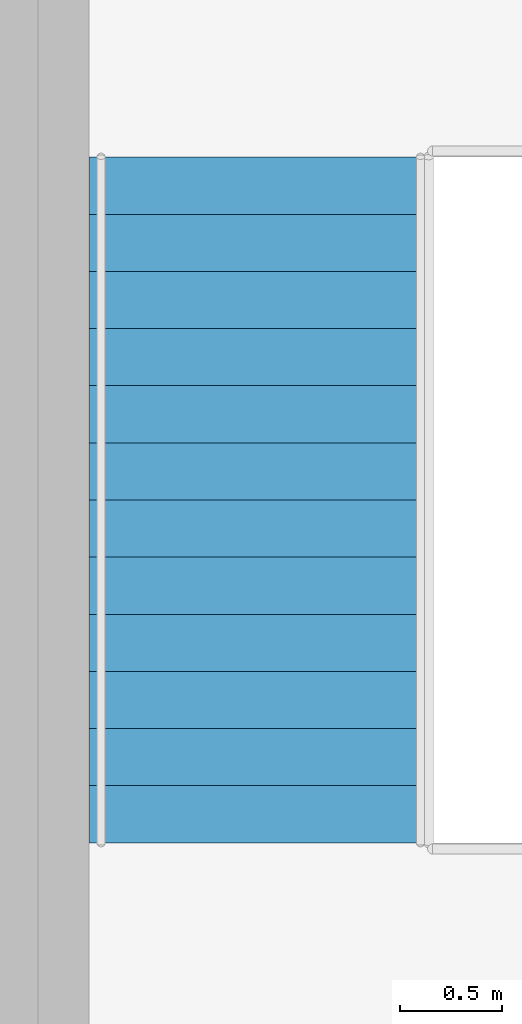
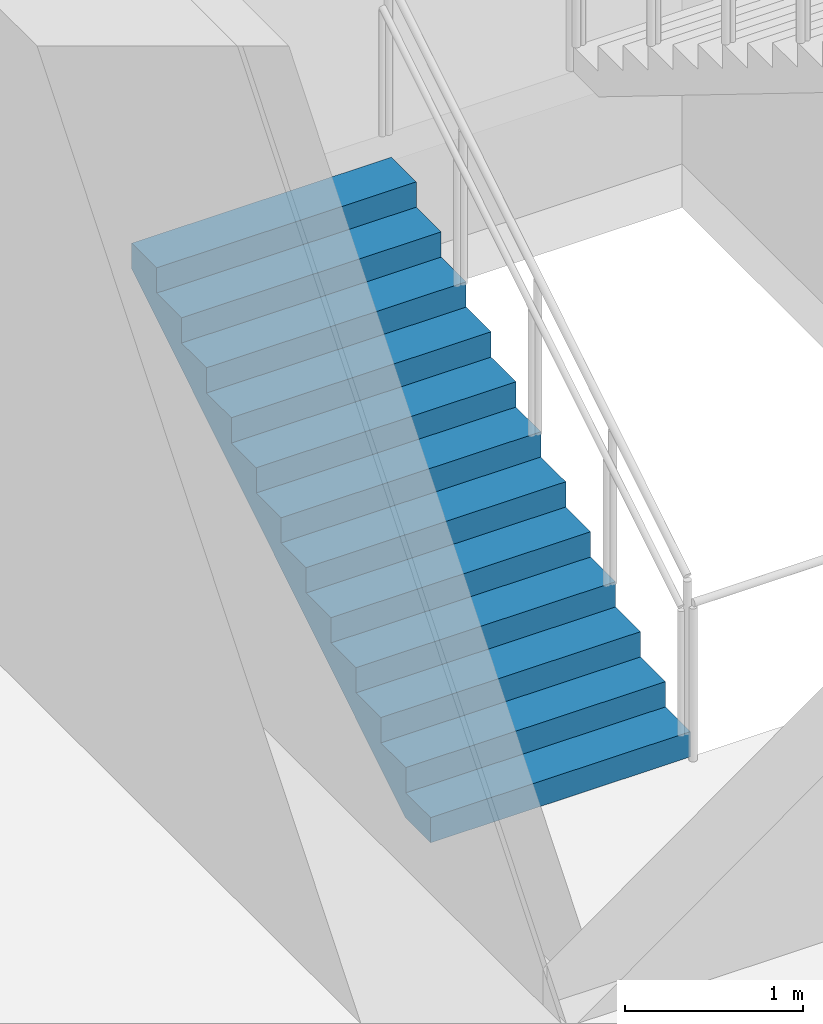
# One storey, part 14 of 16: 1 stair flight, 1 element without a shape of its own.
"""IFC4 building model written with IfcOpenShell, lengths in metres."""

from ifc_helpers import new_model, si_unit, direction, frame, origin, place, context, subcontext, project, spatial, triangles, material, type_object, element, aggregate, save


model = new_model("IFC4")

# Units and contexts
model_context = context("Model", 3, precision=1e-05, world=origin(), true_north=direction((0.0, 1.0)))
body_context = subcontext(model_context, "Body", "Model", "MODEL_VIEW")
ifc_project = project(units=[si_unit("LENGTHUNIT", "METRE"), si_unit("AREAUNIT", "SQUARE_METRE"), si_unit("VOLUMEUNIT", "CUBIC_METRE"), si_unit("PLANEANGLEUNIT", "RADIAN"), si_unit("MASSUNIT", "GRAM", prefix="KILO")], contexts=[model_context])

# Site, building, storey
site_placement = place(None, origin())
site = spatial("IfcSite", under=ifc_project, at=site_placement, CompositionType="ELEMENT")
building_placement = place(site_placement, origin())
building = spatial("IfcBuilding", under=site, at=building_placement, Name="Orbita Commons", CompositionType="ELEMENT")
storey_placement = place(building_placement, frame((0.0, 0.0, -4.5)))
storey = spatial("IfcBuildingStorey", under=building, at=storey_placement, Name="L-01", CompositionType="ELEMENT", Elevation=-4.5)

# Stair, stair flight
ifc_material_1 = material(Name="Precast concrete C40/50", Category="concrete")
stair_type = type_object("IfcStairType", Name="Podium exit stair 2 flights 13 risers 173", PredefinedType="HALF_TURN_STAIR", material=ifc_material_1)
stair_placement = place(storey_placement, origin())
stair = element("IfcStair", 1, at=stair_placement, inside=storey, type_object=stair_type, Name="Podium exit stair PS2 L-01", PredefinedType="HALF_TURN_STAIR")
ifc_material_2 = material(Name="Precast concrete C40/50", Category="concrete")
stair_flight_type = type_object("IfcStairFlightType", Name="Podium stair flight 13 risers 173 x 1685", PredefinedType="STRAIGHT", material=ifc_material_2)
stair_flight_placement = place(storey_placement, frame((73.5673828125, 29.820068359375, 0.0), z_axis=(0.0, 0.0, 1.0), x_axis=(0.0, 1.0, 0.0)))
stair_flight = element("IfcStairFlight", 2, at=stair_flight_placement, type_object=stair_flight_type, Name="PS2 flight 1", NumberOfRisers=13, NumberOfTreads=12, PredefinedType="STRAIGHT", RiserHeight=0.173076923, TreadLength=0.28, context=body_context, shape_type="Tessellation", body=[
    triangles([(0.0, 0.842529, 0.0), (0.0, 0.842529, 0.021635), (0.0, 0.702108, 0.021635), (0.0, 0.702108, 0.0), (0.0, 0.561686, 0.021635), (0.0, 0.561686, 0.0), (0.0, 0.421265, 0.021635), (0.0, 0.421265, 0.0), (0.0, 0.280843, 0.021635), (0.0, 0.280843, 0.0), (0.0, 0.140422, 0.021635), (0.0, 0.140422, 0.0), (0.0, 0.0, 0.021635), (0.0, 0.0, 0.0), (0.0, -0.140422, 0.021635), (0.0, -0.140422, 0.0), (0.0, -0.280843, 0.021635), (0.0, -0.280843, 0.0), (0.0, -0.421265, 0.021635), (0.0, -0.421265, 0.0), (0.0, -0.561686, 0.021635), (0.0, -0.561686, 0.0), (0.0, -0.702108, 0.021635), (0.0, -0.702108, 0.0), (0.0, -0.842529, 0.021635), (0.0, -0.842529, 0.0), (0.0, 0.842529, 0.043269), (0.0, 0.702108, 0.043269), (0.0, 0.561686, 0.043269), (0.0, 0.421265, 0.043269), (0.0, 0.280843, 0.043269), (0.0, 0.140422, 0.043269), (0.0, 0.0, 0.043269), (0.0, -0.140422, 0.043269), (0.0, -0.280843, 0.043269), (0.0, -0.421265, 0.043269), (0.0, -0.561686, 0.043269), (0.0, -0.702108, 0.043269), (0.0, -0.842529, 0.043269), (0.0, 0.842529, 0.064904), (0.0, 0.702108, 0.064904), (0.0, 0.561686, 0.064904), (0.0, 0.421265, 0.064904), (0.0, 0.280843, 0.064904), (0.0, 0.140422, 0.064904), (0.0, 0.0, 0.064904), (0.0, -0.140422, 0.064904), (0.0, -0.280843, 0.064904), (0.0, -0.421265, 0.064904), (0.0, -0.561686, 0.064904), (0.0, -0.702108, 0.064904), (0.0, -0.842529, 0.064904), (0.0, 0.842529, 0.086538), (0.0, 0.702108, 0.086538), (0.0, 0.561686, 0.086538), (0.0, 0.421265, 0.086538), (0.0, 0.280843, 0.086538), (0.0, 0.140422, 0.086538), (0.0, 0.0, 0.086538), (0.0, -0.140422, 0.086538), (0.0, -0.280843, 0.086538), (0.0, -0.421265, 0.086538), (0.0, -0.561686, 0.086538), (0.0, -0.702108, 0.086538), (0.0, -0.842529, 0.086538), (0.0, 0.842529, 0.108173), (0.0, 0.702108, 0.108173), (0.0, 0.561686, 0.108173), (0.0, 0.421265, 0.108173), (0.0, 0.280843, 0.108173), (0.0, 0.140422, 0.108173), (0.0, 0.0, 0.108173), (0.0, -0.140422, 0.108173), (0.0, -0.280843, 0.108173), (0.0, -0.421265, 0.108173), (0.0, -0.561686, 0.108173), (0.0, -0.702108, 0.108173), (0.0, -0.842529, 0.108173), (0.0, 0.842529, 0.129808), (0.0, 0.702108, 0.129808), (0.0, 0.561686, 0.129808), (0.0, 0.421265, 0.129808), (0.0, 0.280843, 0.129808), (0.0, 0.140422, 0.129808), (0.0, 0.0, 0.129808), (0.0, -0.140422, 0.129808), (0.0, -0.280843, 0.129808), (0.0, -0.421265, 0.129808), (0.0, -0.561686, 0.129808), (0.0, -0.702108, 0.129808), (0.0, -0.842529, 0.129808), (0.0, 0.842529, 0.151442), (0.0, 0.702108, 0.151442), (0.0, 0.561686, 0.151442), (0.0, 0.421265, 0.151442), (0.0, 0.280843, 0.151442), (0.0, 0.140422, 0.151442), (0.0, 0.0, 0.151442), (0.0, -0.140422, 0.151442), (0.0, -0.280843, 0.151442), (0.0, -0.421265, 0.151442), (0.0, -0.561686, 0.151442), (0.0, -0.702108, 0.151442), (0.0, -0.842529, 0.151442), (0.0, 0.842529, 0.173077), (0.0, 0.702108, 0.173077), (0.0, 0.561686, 0.173077), (0.0, 0.421265, 0.173077), (0.0, 0.280843, 0.173077), (0.0, 0.140422, 0.173077), (0.0, 0.0, 0.173077), (0.0, -0.140422, 0.173077), (0.0, -0.280843, 0.173077), (0.0, -0.421265, 0.173077), (0.0, -0.561686, 0.173077), (0.0, -0.702108, 0.173077), (0.0, -0.842529, 0.173077), (0.28, 0.842529, 0.173077), (0.28, 0.702108, 0.173077), (0.28, 0.561686, 0.173077), (0.28, 0.421265, 0.173077), (0.28, 0.280843, 0.173077), (0.28, 0.140422, 0.173077), (0.28, 0.0, 0.173077), (0.28, -0.140422, 0.173077), (0.28, -0.280843, 0.173077), (0.28, -0.421265, 0.173077), (0.28, -0.561686, 0.173077), (0.28, -0.702108, 0.173077), (0.28, -0.842529, 0.173077), (0.28, 0.842529, 0.346154), (0.28, 0.702108, 0.346154), (0.28, 0.561686, 0.346154), (0.28, 0.421265, 0.346154), (0.28, 0.280843, 0.346154), (0.28, 0.140422, 0.346154), (0.28, 0.0, 0.346154), (0.28, -0.140422, 0.346154), (0.28, -0.280843, 0.346154), (0.28, -0.421265, 0.346154), (0.28, -0.561686, 0.346154), (0.28, -0.702108, 0.346154), (0.28, -0.842529, 0.346154), (0.56, 0.842529, 0.346154), (0.56, 0.702108, 0.346154), (0.56, 0.561686, 0.346154), (0.56, 0.421265, 0.346154), (0.56, 0.280843, 0.346154), (0.56, 0.140422, 0.346154), (0.56, 0.0, 0.346154), (0.56, -0.140422, 0.346154), (0.56, -0.280843, 0.346154), (0.56, -0.421265, 0.346154), (0.56, -0.561686, 0.346154), (0.56, -0.702108, 0.346154), (0.56, -0.842529, 0.346154), (0.56, 0.842529, 0.519231), (0.56, 0.702108, 0.519231), (0.56, 0.561686, 0.519231), (0.56, 0.421265, 0.519231), (0.56, 0.280843, 0.519231), (0.56, 0.140422, 0.519231), (0.56, 0.0, 0.519231), (0.56, -0.140422, 0.519231), (0.56, -0.280843, 0.519231), (0.56, -0.421265, 0.519231), (0.56, -0.561686, 0.519231), (0.56, -0.702108, 0.519231), (0.56, -0.842529, 0.519231), (0.84, 0.842529, 0.519231), (0.84, 0.702108, 0.519231), (0.84, 0.561686, 0.519231), (0.84, 0.421265, 0.519231), (0.84, 0.280843, 0.519231), (0.84, 0.140422, 0.519231), (0.84, 0.0, 0.519231), (0.84, -0.140422, 0.519231), (0.84, -0.280843, 0.519231), (0.84, -0.421265, 0.519231), (0.84, -0.561686, 0.519231), (0.84, -0.702108, 0.519231), (0.84, -0.842529, 0.519231), (0.84, 0.842529, 0.692308), (0.84, 0.702108, 0.692308), (0.84, 0.561686, 0.692308), (0.84, 0.421265, 0.692308), (0.84, 0.280843, 0.692308), (0.84, 0.140422, 0.692308), (0.84, 0.0, 0.692308), (0.84, -0.140422, 0.692308), (0.84, -0.280843, 0.692308), (0.84, -0.421265, 0.692308), (0.84, -0.561686, 0.692308), (0.84, -0.702108, 0.692308), (0.84, -0.842529, 0.692308), (1.12, 0.842529, 0.692308), (1.12, 0.702108, 0.692308), (1.12, 0.561686, 0.692308), (1.12, 0.421265, 0.692308), (1.12, 0.280843, 0.692308), (1.12, 0.140422, 0.692308), (1.12, 0.0, 0.692308), (1.12, -0.140422, 0.692308), (1.12, -0.280843, 0.692308), (1.12, -0.421265, 0.692308), (1.12, -0.561686, 0.692308), (1.12, -0.702108, 0.692308), (1.12, -0.842529, 0.692308), (1.12, 0.842529, 0.865385), (1.12, 0.702108, 0.865385), (1.12, 0.561686, 0.865385), (1.12, 0.421265, 0.865385), (1.12, 0.280843, 0.865385), (1.12, 0.140422, 0.865385), (1.12, 0.0, 0.865385), (1.12, -0.140422, 0.865385), (1.12, -0.280843, 0.865385), (1.12, -0.421265, 0.865385), (1.12, -0.561686, 0.865385), (1.12, -0.702108, 0.865385), (1.12, -0.842529, 0.865385), (1.4, 0.842529, 0.865385), (1.4, 0.702108, 0.865385), (1.4, 0.561686, 0.865385), (1.4, 0.421265, 0.865385), (1.4, 0.280843, 0.865385), (1.4, 0.140422, 0.865385), (1.4, 0.0, 0.865385), (1.4, -0.140422, 0.865385), (1.4, -0.280843, 0.865385), (1.4, -0.421265, 0.865385), (1.4, -0.561686, 0.865385), (1.4, -0.702108, 0.865385), (1.4, -0.842529, 0.865385), (1.4, 0.842529, 1.038462), (1.4, 0.702108, 1.038462), (1.4, 0.561686, 1.038462), (1.4, 0.421265, 1.038462), (1.4, 0.280843, 1.038462), (1.4, 0.140422, 1.038462), (1.4, 0.0, 1.038462), (1.4, -0.140422, 1.038462), (1.4, -0.280843, 1.038462), (1.4, -0.421265, 1.038462), (1.4, -0.561686, 1.038462), (1.4, -0.702108, 1.038462), (1.4, -0.842529, 1.038462), (1.68, 0.842529, 1.038462), (1.68, 0.702108, 1.038462), (1.68, 0.561686, 1.038462), (1.68, 0.421265, 1.038462), (1.68, 0.280843, 1.038462), (1.68, 0.140422, 1.038462), (1.68, 0.0, 1.038462), (1.68, -0.140422, 1.038462), (1.68, -0.280843, 1.038462), (1.68, -0.421265, 1.038462), (1.68, -0.561686, 1.038462), (1.68, -0.702108, 1.038462), (1.68, -0.842529, 1.038462), (1.68, 0.842529, 1.211538), (1.68, 0.702108, 1.211538), (1.68, 0.561686, 1.211538), (1.68, 0.421265, 1.211538), (1.68, 0.280843, 1.211538), (1.68, 0.140422, 1.211538), (1.68, 0.0, 1.211538), (1.68, -0.140422, 1.211538), (1.68, -0.280843, 1.211538), (1.68, -0.421265, 1.211538), (1.68, -0.561686, 1.211538), (1.68, -0.702108, 1.211538), (1.68, -0.842529, 1.211538), (1.96, 0.842529, 1.211538), (1.96, 0.702108, 1.211538), (1.96, 0.561686, 1.211538), (1.96, 0.421265, 1.211538), (1.96, 0.280843, 1.211538), (1.96, 0.140422, 1.211538), (1.96, 0.0, 1.211538), (1.96, -0.140422, 1.211538), (1.96, -0.280843, 1.211538), (1.96, -0.421265, 1.211538), (1.96, -0.561686, 1.211538), (1.96, -0.702108, 1.211538), (1.96, -0.842529, 1.211538), (1.96, 0.842529, 1.384615), (1.96, 0.702108, 1.384615), (1.96, 0.561686, 1.384615), (1.96, 0.421265, 1.384615), (1.96, 0.280843, 1.384615), (1.96, 0.140422, 1.384615), (1.96, 0.0, 1.384615), (1.96, -0.140422, 1.384615), (1.96, -0.280843, 1.384615), (1.96, -0.421265, 1.384615), (1.96, -0.561686, 1.384615), (1.96, -0.702108, 1.384615), (1.96, -0.842529, 1.384615), (2.24, 0.842529, 1.384615), (2.24, 0.702108, 1.384615), (2.24, 0.561686, 1.384615), (2.24, 0.421265, 1.384615), (2.24, 0.280843, 1.384615), (2.24, 0.140422, 1.384615), (2.24, 0.0, 1.384615), (2.24, -0.140422, 1.384615), (2.24, -0.280843, 1.384615), (2.24, -0.421265, 1.384615), (2.24, -0.561686, 1.384615), (2.24, -0.702108, 1.384615), (2.24, -0.842529, 1.384615), (2.24, 0.842529, 1.557692), (2.24, 0.702108, 1.557692), (2.24, 0.561686, 1.557692), (2.24, 0.421265, 1.557692), (2.24, 0.280843, 1.557692), (2.24, 0.140422, 1.557692), (2.24, 0.0, 1.557692), (2.24, -0.140422, 1.557692), (2.24, -0.280843, 1.557692), (2.24, -0.421265, 1.557692), (2.24, -0.561686, 1.557692), (2.24, -0.702108, 1.557692), (2.24, -0.842529, 1.557692), (2.52, 0.842529, 1.557692), (2.52, 0.702108, 1.557692), (2.52, 0.561686, 1.557692), (2.52, 0.421265, 1.557692), (2.52, 0.280843, 1.557692), (2.52, 0.140422, 1.557692), (2.52, 0.0, 1.557692), (2.52, -0.140422, 1.557692), (2.52, -0.280843, 1.557692), (2.52, -0.421265, 1.557692), (2.52, -0.561686, 1.557692), (2.52, -0.702108, 1.557692), (2.52, -0.842529, 1.557692), (2.52, 0.842529, 1.730769), (2.52, 0.702108, 1.730769), (2.52, 0.561686, 1.730769), (2.52, 0.421265, 1.730769), (2.52, 0.280843, 1.730769), (2.52, 0.140422, 1.730769), (2.52, 0.0, 1.730769), (2.52, -0.140422, 1.730769), (2.52, -0.280843, 1.730769), (2.52, -0.421265, 1.730769), (2.52, -0.561686, 1.730769), (2.52, -0.702108, 1.730769), (2.52, -0.842529, 1.730769), (2.8, 0.842529, 1.730769), (2.8, 0.702108, 1.730769), (2.8, 0.561686, 1.730769), (2.8, 0.421265, 1.730769), (2.8, 0.280843, 1.730769), (2.8, 0.140422, 1.730769), (2.8, 0.0, 1.730769), (2.8, -0.140422, 1.730769), (2.8, -0.280843, 1.730769), (2.8, -0.421265, 1.730769), (2.8, -0.561686, 1.730769), (2.8, -0.702108, 1.730769), (2.8, -0.842529, 1.730769), (2.8, 0.842529, 1.903846), (2.8, 0.702108, 1.903846), (2.8, 0.561686, 1.903846), (2.8, 0.421265, 1.903846), (2.8, 0.280843, 1.903846), (2.8, 0.140422, 1.903846), (2.8, 0.0, 1.903846), (2.8, -0.140422, 1.903846), (2.8, -0.280843, 1.903846), (2.8, -0.421265, 1.903846), (2.8, -0.561686, 1.903846), (2.8, -0.702108, 1.903846), (2.8, -0.842529, 1.903846), (3.08, 0.842529, 1.903846), (3.08, 0.702108, 1.903846), (3.08, 0.561686, 1.903846), (3.08, 0.421265, 1.903846), (3.08, 0.280843, 1.903846), (3.08, 0.140422, 1.903846), (3.08, 0.0, 1.903846), (3.08, -0.140422, 1.903846), (3.08, -0.280843, 1.903846), (3.08, -0.421265, 1.903846), (3.08, -0.561686, 1.903846), (3.08, -0.702108, 1.903846), (3.08, -0.842529, 1.903846), (3.08, 0.842529, 2.076923), (3.08, 0.702108, 2.076923), (3.08, 0.561686, 2.076923), (3.08, 0.421265, 2.076923), (3.08, 0.280843, 2.076923), (3.08, 0.140422, 2.076923), (3.08, 0.0, 2.076923), (3.08, -0.140422, 2.076923), (3.08, -0.280843, 2.076923), (3.08, -0.421265, 2.076923), (3.08, -0.561686, 2.076923), (3.08, -0.702108, 2.076923), (3.08, -0.842529, 2.076923), (3.36, 0.842529, 2.076923), (3.36, 0.702108, 2.076923), (3.36, 0.561686, 2.076923), (3.36, 0.421265, 2.076923), (3.36, 0.280843, 2.076923), (3.36, 0.140422, 2.076923), (3.36, 0.0, 2.076923), (3.36, -0.140422, 2.076923), (3.36, -0.280843, 2.076923), (3.36, -0.421265, 2.076923), (3.36, -0.561686, 2.076923), (3.36, -0.702108, 2.076923), (3.36, -0.842529, 2.076923), (3.36, 0.842529, 2.054895), (3.36, 0.702108, 2.054895), (3.36, 0.561686, 2.054895), (3.36, 0.421265, 2.054895), (3.36, 0.280843, 2.054895), (3.36, 0.140422, 2.054895), (3.36, 0.0, 2.054895), (3.36, -0.140422, 2.054895), (3.36, -0.280843, 2.054895), (3.36, -0.421265, 2.054895), (3.36, -0.561686, 2.054895), (3.36, -0.702108, 2.054895), (3.36, -0.842529, 2.054895), (3.36, 0.842529, 2.032866), (3.36, 0.702108, 2.032866), (3.36, 0.561686, 2.032866), (3.36, 0.421265, 2.032866), (3.36, 0.280843, 2.032866), (3.36, 0.140422, 2.032866), (3.36, 0.0, 2.032866), (3.36, -0.140422, 2.032866), (3.36, -0.280843, 2.032866), (3.36, -0.421265, 2.032866), (3.36, -0.561686, 2.032866), (3.36, -0.702108, 2.032866), (3.36, -0.842529, 2.032866), (3.36, 0.842529, 2.010837), (3.36, 0.702108, 2.010837), (3.36, 0.561686, 2.010837), (3.36, 0.421265, 2.010837), (3.36, 0.280843, 2.010837), (3.36, 0.140422, 2.010837), (3.36, 0.0, 2.010837), (3.36, -0.140422, 2.010837), (3.36, -0.280843, 2.010837), (3.36, -0.421265, 2.010837), (3.36, -0.561686, 2.010837), (3.36, -0.702108, 2.010837), (3.36, -0.842529, 2.010837), (3.36, 0.842529, 1.988809), (3.36, 0.702108, 1.988809), (3.36, 0.561686, 1.988809), (3.36, 0.421265, 1.988809), (3.36, 0.280843, 1.988809), (3.36, 0.140422, 1.988809), (3.36, 0.0, 1.988809), (3.36, -0.140422, 1.988809), (3.36, -0.280843, 1.988809), (3.36, -0.421265, 1.988809), (3.36, -0.561686, 1.988809), (3.36, -0.702108, 1.988809), (3.36, -0.842529, 1.988809), (3.36, 0.842529, 1.96678), (3.36, 0.702108, 1.96678), (3.36, 0.561686, 1.96678), (3.36, 0.421265, 1.96678), (3.36, 0.280843, 1.96678), (3.36, 0.140422, 1.96678), (3.36, 0.0, 1.96678), (3.36, -0.140422, 1.96678), (3.36, -0.280843, 1.96678), (3.36, -0.421265, 1.96678), (3.36, -0.561686, 1.96678), (3.36, -0.702108, 1.96678), (3.36, -0.842529, 1.96678), (3.36, 0.842529, 1.944752), (3.36, 0.702108, 1.944752), (3.36, 0.561686, 1.944752), (3.36, 0.421265, 1.944752), (3.36, 0.280843, 1.944752), (3.36, 0.140422, 1.944752), (3.36, 0.0, 1.944752), (3.36, -0.140422, 1.944752), (3.36, -0.280843, 1.944752), (3.36, -0.421265, 1.944752), (3.36, -0.561686, 1.944752), (3.36, -0.702108, 1.944752), (3.36, -0.842529, 1.944752), (3.36, 0.842529, 1.922723), (3.36, 0.702108, 1.922723), (3.36, 0.561686, 1.922723), (3.36, 0.421265, 1.922723), (3.36, 0.280843, 1.922723), (3.36, 0.140422, 1.922723), (3.36, 0.0, 1.922723), (3.36, -0.140422, 1.922723), (3.36, -0.280843, 1.922723), (3.36, -0.421265, 1.922723), (3.36, -0.561686, 1.922723), (3.36, -0.702108, 1.922723), (3.36, -0.842529, 1.922723), (3.36, 0.842529, 1.900695), (3.36, 0.702108, 1.900695), (3.36, 0.561686, 1.900695), (3.36, 0.421265, 1.900695), (3.36, 0.280843, 1.900695), (3.36, 0.140422, 1.900695), (3.36, 0.0, 1.900695), (3.36, -0.140422, 1.900695), (3.36, -0.280843, 1.900695), (3.36, -0.421265, 1.900695), (3.36, -0.561686, 1.900695), (3.36, -0.702108, 1.900695), (3.36, -0.842529, 1.900695), (0.285099, 0.842529, 0.0), (0.285099, 0.702108, 0.0), (0.285099, 0.561686, 0.0), (0.285099, 0.421265, 0.0), (0.285099, 0.280843, 0.0), (0.285099, 0.140422, 0.0), (0.285099, 0.0, 0.0), (0.285099, -0.140422, 0.0), (0.285099, -0.280843, 0.0), (0.285099, -0.421265, 0.0), (0.285099, -0.561686, 0.0), (0.285099, -0.702108, 0.0), (0.285099, -0.842529, 0.0)], [[3, 2, 1], [4, 3, 1], [5, 3, 4], [6, 5, 4], [7, 5, 6], [8, 7, 6], [9, 7, 8], [10, 9, 8], [11, 9, 10], [12, 11, 10], [13, 11, 12], [14, 13, 12], [15, 13, 14], [16, 15, 14], [17, 15, 16], [18, 17, 16], [19, 17, 18], [20, 19, 18], [21, 19, 20], [22, 21, 20], [23, 21, 22], [24, 23, 22], [25, 23, 24], [26, 25, 24], [28, 27, 2], [3, 28, 2], [29, 28, 3], [5, 29, 3], [30, 29, 5], [7, 30, 5], [31, 30, 7], [9, 31, 7], [32, 31, 9], [11, 32, 9], [33, 32, 11], [13, 33, 11], [34, 33, 13], [15, 34, 13], [35, 34, 15], [17, 35, 15], [36, 35, 17], [19, 36, 17], [37, 36, 19], [21, 37, 19], [38, 37, 21], [23, 38, 21], [39, 38, 23], [25, 39, 23], [41, 40, 27], [28, 41, 27], [42, 41, 28], [29, 42, 28], [43, 42, 29], [30, 43, 29], [44, 43, 30], [31, 44, 30], [45, 44, 31], [32, 45, 31], [46, 45, 32], [33, 46, 32], [47, 46, 33], [34, 47, 33], [48, 47, 34], [35, 48, 34], [49, 48, 35], [36, 49, 35], [50, 49, 36], [37, 50, 36], [51, 50, 37], [38, 51, 37], [52, 51, 38], [39, 52, 38], [54, 53, 40], [41, 54, 40], [55, 54, 41], [42, 55, 41], [56, 55, 42], [43, 56, 42], [57, 56, 43], [44, 57, 43], [58, 57, 44], [45, 58, 44], [59, 58, 45], [46, 59, 45], [60, 59, 46], [47, 60, 46], [61, 60, 47], [48, 61, 47], [62, 61, 48], [49, 62, 48], [63, 62, 49], [50, 63, 49], [64, 63, 50], [51, 64, 50], [65, 64, 51], [52, 65, 51], [67, 66, 53], [54, 67, 53], [68, 67, 54], [55, 68, 54], [69, 68, 55], [56, 69, 55], [70, 69, 56], [57, 70, 56], [71, 70, 57], [58, 71, 57], [72, 71, 58], [59, 72, 58], [73, 72, 59], [60, 73, 59], [74, 73, 60], [61, 74, 60], [75, 74, 61], [62, 75, 61], [76, 75, 62], [63, 76, 62], [77, 76, 63], [64, 77, 63], [78, 77, 64], [65, 78, 64], [80, 79, 66], [67, 80, 66], [81, 80, 67], [68, 81, 67], [82, 81, 68], [69, 82, 68], [83, 82, 69], [70, 83, 69], [84, 83, 70], [71, 84, 70], [85, 84, 71], [72, 85, 71], [86, 85, 72], [73, 86, 72], [87, 86, 73], [74, 87, 73], [88, 87, 74], [75, 88, 74], [89, 88, 75], [76, 89, 75], [90, 89, 76], [77, 90, 76], [91, 90, 77], [78, 91, 77], [93, 92, 79], [80, 93, 79], [94, 93, 80], [81, 94, 80], [95, 94, 81], [82, 95, 81], [96, 95, 82], [83, 96, 82], [97, 96, 83], [84, 97, 83], [98, 97, 84], [85, 98, 84], [99, 98, 85], [86, 99, 85], [100, 99, 86], [87, 100, 86], [101, 100, 87], [88, 101, 87], [102, 101, 88], [89, 102, 88], [103, 102, 89], [90, 103, 89], [104, 103, 90], [91, 104, 90], [106, 105, 92], [93, 106, 92], [107, 106, 93], [94, 107, 93], [108, 107, 94], [95, 108, 94], [109, 108, 95], [96, 109, 95], [110, 109, 96], [97, 110, 96], [111, 110, 97], [98, 111, 97], [112, 111, 98], [99, 112, 98], [113, 112, 99], [100, 113, 99], [114, 113, 100], [101, 114, 100], [115, 114, 101], [102, 115, 101], [116, 115, 102], [103, 116, 102], [117, 116, 103], [104, 117, 103], [119, 118, 105], [106, 119, 105], [120, 119, 106], [107, 120, 106], [121, 120, 107], [108, 121, 107], [122, 121, 108], [109, 122, 108], [123, 122, 109], [110, 123, 109], [124, 123, 110], [111, 124, 110], [125, 124, 111], [112, 125, 111], [126, 125, 112], [113, 126, 112], [127, 126, 113], [114, 127, 113], [128, 127, 114], [115, 128, 114], [129, 128, 115], [116, 129, 115], [130, 129, 116], [117, 130, 116], [132, 131, 118], [119, 132, 118], [133, 132, 119], [120, 133, 119], [134, 133, 120], [121, 134, 120], [135, 134, 121], [122, 135, 121], [136, 135, 122], [123, 136, 122], [137, 136, 123], [124, 137, 123], [138, 137, 124], [125, 138, 124], [139, 138, 125], [126, 139, 125], [140, 139, 126], [127, 140, 126], [141, 140, 127], [128, 141, 127], [142, 141, 128], [129, 142, 128], [143, 142, 129], [130, 143, 129], [145, 144, 131], [132, 145, 131], [146, 145, 132], [133, 146, 132], [147, 146, 133], [134, 147, 133], [148, 147, 134], [135, 148, 134], [149, 148, 135], [136, 149, 135], [150, 149, 136], [137, 150, 136], [151, 150, 137], [138, 151, 137], [152, 151, 138], [139, 152, 138], [153, 152, 139], [140, 153, 139], [154, 153, 140], [141, 154, 140], [155, 154, 141], [142, 155, 141], [156, 155, 142], [143, 156, 142], [158, 157, 144], [145, 158, 144], [159, 158, 145], [146, 159, 145], [160, 159, 146], [147, 160, 146], [161, 160, 147], [148, 161, 147], [162, 161, 148], [149, 162, 148], [163, 162, 149], [150, 163, 149], [164, 163, 150], [151, 164, 150], [165, 164, 151], [152, 165, 151], [166, 165, 152], [153, 166, 152], [167, 166, 153], [154, 167, 153], [168, 167, 154], [155, 168, 154], [169, 168, 155], [156, 169, 155], [171, 170, 157], [158, 171, 157], [172, 171, 158], [159, 172, 158], [173, 172, 159], [160, 173, 159], [174, 173, 160], [161, 174, 160], [175, 174, 161], [162, 175, 161], [176, 175, 162], [163, 176, 162], [177, 176, 163], [164, 177, 163], [178, 177, 164], [165, 178, 164], [179, 178, 165], [166, 179, 165], [180, 179, 166], [167, 180, 166], [181, 180, 167], [168, 181, 167], [182, 181, 168], [169, 182, 168], [184, 183, 170], [171, 184, 170], [185, 184, 171], [172, 185, 171], [186, 185, 172], [173, 186, 172], [187, 186, 173], [174, 187, 173], [188, 187, 174], [175, 188, 174], [189, 188, 175], [176, 189, 175], [190, 189, 176], [177, 190, 176], [191, 190, 177], [178, 191, 177], [192, 191, 178], [179, 192, 178], [193, 192, 179], [180, 193, 179], [194, 193, 180], [181, 194, 180], [195, 194, 181], [182, 195, 181], [197, 196, 183], [184, 197, 183], [198, 197, 184], [185, 198, 184], [199, 198, 185], [186, 199, 185], [200, 199, 186], [187, 200, 186], [201, 200, 187], [188, 201, 187], [202, 201, 188], [189, 202, 188], [203, 202, 189], [190, 203, 189], [204, 203, 190], [191, 204, 190], [205, 204, 191], [192, 205, 191], [206, 205, 192], [193, 206, 192], [207, 206, 193], [194, 207, 193], [208, 207, 194], [195, 208, 194], [210, 209, 196], [197, 210, 196], [211, 210, 197], [198, 211, 197], [212, 211, 198], [199, 212, 198], [213, 212, 199], [200, 213, 199], [214, 213, 200], [201, 214, 200], [215, 214, 201], [202, 215, 201], [216, 215, 202], [203, 216, 202], [217, 216, 203], [204, 217, 203], [218, 217, 204], [205, 218, 204], [219, 218, 205], [206, 219, 205], [220, 219, 206], [207, 220, 206], [221, 220, 207], [208, 221, 207], [223, 222, 209], [210, 223, 209], [224, 223, 210], [211, 224, 210], [225, 224, 211], [212, 225, 211], [226, 225, 212], [213, 226, 212], [227, 226, 213], [214, 227, 213], [228, 227, 214], [215, 228, 214], [229, 228, 215], [216, 229, 215], [230, 229, 216], [217, 230, 216], [231, 230, 217], [218, 231, 217], [232, 231, 218], [219, 232, 218], [233, 232, 219], [220, 233, 219], [234, 233, 220], [221, 234, 220], [236, 235, 222], [223, 236, 222], [237, 236, 223], [224, 237, 223], [238, 237, 224], [225, 238, 224], [239, 238, 225], [226, 239, 225], [240, 239, 226], [227, 240, 226], [241, 240, 227], [228, 241, 227], [242, 241, 228], [229, 242, 228], [243, 242, 229], [230, 243, 229], [244, 243, 230], [231, 244, 230], [245, 244, 231], [232, 245, 231], [246, 245, 232], [233, 246, 232], [247, 246, 233], [234, 247, 233], [249, 248, 235], [236, 249, 235], [250, 249, 236], [237, 250, 236], [251, 250, 237], [238, 251, 237], [252, 251, 238], [239, 252, 238], [253, 252, 239], [240, 253, 239], [254, 253, 240], [241, 254, 240], [255, 254, 241], [242, 255, 241], [256, 255, 242], [243, 256, 242], [257, 256, 243], [244, 257, 243], [258, 257, 244], [245, 258, 244], [259, 258, 245], [246, 259, 245], [260, 259, 246], [247, 260, 246], [262, 261, 248], [249, 262, 248], [263, 262, 249], [250, 263, 249], [264, 263, 250], [251, 264, 250], [265, 264, 251], [252, 265, 251], [266, 265, 252], [253, 266, 252], [267, 266, 253], [254, 267, 253], [268, 267, 254], [255, 268, 254], [269, 268, 255], [256, 269, 255], [270, 269, 256], [257, 270, 256], [271, 270, 257], [258, 271, 257], [272, 271, 258], [259, 272, 258], [273, 272, 259], [260, 273, 259], [275, 274, 261], [262, 275, 261], [276, 275, 262], [263, 276, 262], [277, 276, 263], [264, 277, 263], [278, 277, 264], [265, 278, 264], [279, 278, 265], [266, 279, 265], [280, 279, 266], [267, 280, 266], [281, 280, 267], [268, 281, 267], [282, 281, 268], [269, 282, 268], [283, 282, 269], [270, 283, 269], [284, 283, 270], [271, 284, 270], [285, 284, 271], [272, 285, 271], [286, 285, 272], [273, 286, 272], [288, 287, 274], [275, 288, 274], [289, 288, 275], [276, 289, 275], [290, 289, 276], [277, 290, 276], [291, 290, 277], [278, 291, 277], [292, 291, 278], [279, 292, 278], [293, 292, 279], [280, 293, 279], [294, 293, 280], [281, 294, 280], [295, 294, 281], [282, 295, 281], [296, 295, 282], [283, 296, 282], [297, 296, 283], [284, 297, 283], [298, 297, 284], [285, 298, 284], [299, 298, 285], [286, 299, 285], [301, 300, 287], [288, 301, 287], [302, 301, 288], [289, 302, 288], [303, 302, 289], [290, 303, 289], [304, 303, 290], [291, 304, 290], [305, 304, 291], [292, 305, 291], [306, 305, 292], [293, 306, 292], [307, 306, 293], [294, 307, 293], [308, 307, 294], [295, 308, 294], [309, 308, 295], [296, 309, 295], [310, 309, 296], [297, 310, 296], [311, 310, 297], [298, 311, 297], [312, 311, 298], [299, 312, 298], [314, 313, 300], [301, 314, 300], [315, 314, 301], [302, 315, 301], [316, 315, 302], [303, 316, 302], [317, 316, 303], [304, 317, 303], [318, 317, 304], [305, 318, 304], [319, 318, 305], [306, 319, 305], [320, 319, 306], [307, 320, 306], [321, 320, 307], [308, 321, 307], [322, 321, 308], [309, 322, 308], [323, 322, 309], [310, 323, 309], [324, 323, 310], [311, 324, 310], [325, 324, 311], [312, 325, 311], [327, 326, 313], [314, 327, 313], [328, 327, 314], [315, 328, 314], [329, 328, 315], [316, 329, 315], [330, 329, 316], [317, 330, 316], [331, 330, 317], [318, 331, 317], [332, 331, 318], [319, 332, 318], [333, 332, 319], [320, 333, 319], [334, 333, 320], [321, 334, 320], [335, 334, 321], [322, 335, 321], [336, 335, 322], [323, 336, 322], [337, 336, 323], [324, 337, 323], [338, 337, 324], [325, 338, 324], [340, 339, 326], [327, 340, 326], [341, 340, 327], [328, 341, 327], [342, 341, 328], [329, 342, 328], [343, 342, 329], [330, 343, 329], [344, 343, 330], [331, 344, 330], [345, 344, 331], [332, 345, 331], [346, 345, 332], [333, 346, 332], [347, 346, 333], [334, 347, 333], [348, 347, 334], [335, 348, 334], [349, 348, 335], [336, 349, 335], [350, 349, 336], [337, 350, 336], [351, 350, 337], [338, 351, 337], [353, 352, 339], [340, 353, 339], [354, 353, 340], [341, 354, 340], [355, 354, 341], [342, 355, 341], [356, 355, 342], [343, 356, 342], [357, 356, 343], [344, 357, 343], [358, 357, 344], [345, 358, 344], [359, 358, 345], [346, 359, 345], [360, 359, 346], [347, 360, 346], [361, 360, 347], [348, 361, 347], [362, 361, 348], [349, 362, 348], [363, 362, 349], [350, 363, 349], [364, 363, 350], [351, 364, 350], [366, 365, 352], [353, 366, 352], [367, 366, 353], [354, 367, 353], [368, 367, 354], [355, 368, 354], [369, 368, 355], [356, 369, 355], [370, 369, 356], [357, 370, 356], [371, 370, 357], [358, 371, 357], [372, 371, 358], [359, 372, 358], [373, 372, 359], [360, 373, 359], [374, 373, 360], [361, 374, 360], [375, 374, 361], [362, 375, 361], [376, 375, 362], [363, 376, 362], [377, 376, 363], [364, 377, 363], [379, 378, 365], [366, 379, 365], [380, 379, 366], [367, 380, 366], [381, 380, 367], [368, 381, 367], [382, 381, 368], [369, 382, 368], [383, 382, 369], [370, 383, 369], [384, 383, 370], [371, 384, 370], [385, 384, 371], [372, 385, 371], [386, 385, 372], [373, 386, 372], [387, 386, 373], [374, 387, 373], [388, 387, 374], [375, 388, 374], [389, 388, 375], [376, 389, 375], [390, 389, 376], [377, 390, 376], [392, 391, 378], [379, 392, 378], [393, 392, 379], [380, 393, 379], [394, 393, 380], [381, 394, 380], [395, 394, 381], [382, 395, 381], [396, 395, 382], [383, 396, 382], [397, 396, 383], [384, 397, 383], [398, 397, 384], [385, 398, 384], [399, 398, 385], [386, 399, 385], [400, 399, 386], [387, 400, 386], [401, 400, 387], [388, 401, 387], [402, 401, 388], [389, 402, 388], [403, 402, 389], [390, 403, 389], [405, 404, 391], [392, 405, 391], [406, 405, 392], [393, 406, 392], [407, 406, 393], [394, 407, 393], [408, 407, 394], [395, 408, 394], [409, 408, 395], [396, 409, 395], [410, 409, 396], [397, 410, 396], [411, 410, 397], [398, 411, 397], [412, 411, 398], [399, 412, 398], [413, 412, 399], [400, 413, 399], [414, 413, 400], [401, 414, 400], [415, 414, 401], [402, 415, 401], [416, 415, 402], [403, 416, 402], [418, 417, 404], [405, 418, 404], [419, 418, 405], [406, 419, 405], [420, 419, 406], [407, 420, 406], [421, 420, 407], [408, 421, 407], [422, 421, 408], [409, 422, 408], [423, 422, 409], [410, 423, 409], [424, 423, 410], [411, 424, 410], [425, 424, 411], [412, 425, 411], [426, 425, 412], [413, 426, 412], [427, 426, 413], [414, 427, 413], [428, 427, 414], [415, 428, 414], [429, 428, 415], [416, 429, 415], [431, 430, 417], [418, 431, 417], [432, 431, 418], [419, 432, 418], [433, 432, 419], [420, 433, 419], [434, 433, 420], [421, 434, 420], [435, 434, 421], [422, 435, 421], [436, 435, 422], [423, 436, 422], [437, 436, 423], [424, 437, 423], [438, 437, 424], [425, 438, 424], [439, 438, 425], [426, 439, 425], [440, 439, 426], [427, 440, 426], [441, 440, 427], [428, 441, 427], [442, 441, 428], [429, 442, 428], [444, 443, 430], [431, 444, 430], [445, 444, 431], [432, 445, 431], [446, 445, 432], [433, 446, 432], [447, 446, 433], [434, 447, 433], [448, 447, 434], [435, 448, 434], [449, 448, 435], [436, 449, 435], [450, 449, 436], [437, 450, 436], [451, 450, 437], [438, 451, 437], [452, 451, 438], [439, 452, 438], [453, 452, 439], [440, 453, 439], [454, 453, 440], [441, 454, 440], [455, 454, 441], [442, 455, 441], [457, 456, 443], [444, 457, 443], [458, 457, 444], [445, 458, 444], [459, 458, 445], [446, 459, 445], [460, 459, 446], [447, 460, 446], [461, 460, 447], [448, 461, 447], [462, 461, 448], [449, 462, 448], [463, 462, 449], [450, 463, 449], [464, 463, 450], [451, 464, 450], [465, 464, 451], [452, 465, 451], [466, 465, 452], [453, 466, 452], [467, 466, 453], [454, 467, 453], [468, 467, 454], [455, 468, 454], [470, 469, 456], [457, 470, 456], [471, 470, 457], [458, 471, 457], [472, 471, 458], [459, 472, 458], [473, 472, 459], [460, 473, 459], [474, 473, 460], [461, 474, 460], [475, 474, 461], [462, 475, 461], [476, 475, 462], [463, 476, 462], [477, 476, 463], [464, 477, 463], [478, 477, 464], [465, 478, 464], [479, 478, 465], [466, 479, 465], [480, 479, 466], [467, 480, 466], [481, 480, 467], [468, 481, 467], [483, 482, 469], [470, 483, 469], [484, 483, 470], [471, 484, 470], [485, 484, 471], [472, 485, 471], [486, 485, 472], [473, 486, 472], [487, 486, 473], [474, 487, 473], [488, 487, 474], [475, 488, 474], [489, 488, 475], [476, 489, 475], [490, 489, 476], [477, 490, 476], [491, 490, 477], [478, 491, 477], [492, 491, 478], [479, 492, 478], [493, 492, 479], [480, 493, 479], [494, 493, 480], [481, 494, 480], [496, 495, 482], [483, 496, 482], [497, 496, 483], [484, 497, 483], [498, 497, 484], [485, 498, 484], [499, 498, 485], [486, 499, 485], [500, 499, 486], [487, 500, 486], [501, 500, 487], [488, 501, 487], [502, 501, 488], [489, 502, 488], [503, 502, 489], [490, 503, 489], [504, 503, 490], [491, 504, 490], [505, 504, 491], [492, 505, 491], [506, 505, 492], [493, 506, 492], [507, 506, 493], [494, 507, 493], [509, 508, 495], [496, 509, 495], [510, 509, 496], [497, 510, 496], [511, 510, 497], [498, 511, 497], [512, 511, 498], [499, 512, 498], [513, 512, 499], [500, 513, 499], [514, 513, 500], [501, 514, 500], [515, 514, 501], [502, 515, 501], [516, 515, 502], [503, 516, 502], [517, 516, 503], [504, 517, 503], [518, 517, 504], [505, 518, 504], [519, 518, 505], [506, 519, 505], [520, 519, 506], [507, 520, 506], [522, 521, 508], [509, 522, 508], [523, 522, 509], [510, 523, 509], [524, 523, 510], [511, 524, 510], [525, 524, 511], [512, 525, 511], [526, 525, 512], [513, 526, 512], [527, 526, 513], [514, 527, 513], [528, 527, 514], [515, 528, 514], [529, 528, 515], [516, 529, 515], [530, 529, 516], [517, 530, 516], [531, 530, 517], [518, 531, 517], [532, 531, 518], [519, 532, 518], [533, 532, 519], [520, 533, 519], [4, 1, 521], [522, 4, 521], [6, 4, 522], [523, 6, 522], [8, 6, 523], [524, 8, 523], [10, 8, 524], [525, 10, 524], [12, 10, 525], [526, 12, 525], [14, 12, 526], [527, 14, 526], [16, 14, 527], [528, 16, 527], [18, 16, 528], [529, 18, 528], [20, 18, 529], [530, 20, 529], [22, 20, 530], [531, 22, 530], [24, 22, 531], [532, 24, 531], [26, 24, 532], [533, 26, 532], [508, 521, 1], [26, 533, 520], [495, 508, 1], [26, 520, 507], [482, 495, 1], [26, 507, 494], [469, 482, 1], [26, 494, 481], [456, 469, 1], [26, 481, 468], [443, 456, 1], [26, 468, 455], [430, 443, 1], [26, 455, 442], [417, 430, 1], [26, 442, 429], [391, 404, 417], [429, 416, 403], [378, 391, 417], [429, 403, 390], [352, 365, 378], [390, 377, 364], [352, 378, 417], [429, 390, 364], [326, 339, 352], [364, 351, 338], [326, 352, 417], [429, 364, 338], [300, 313, 326], [338, 325, 312], [300, 326, 417], [429, 338, 312], [274, 287, 300], [312, 299, 286], [274, 300, 417], [429, 312, 286], [248, 261, 274], [286, 273, 260], [248, 274, 417], [429, 286, 260], [222, 235, 248], [260, 247, 234], [222, 248, 417], [429, 260, 234], [196, 209, 222], [234, 221, 208], [196, 222, 417], [429, 234, 208], [170, 183, 196], [208, 195, 182], [170, 196, 417], [429, 208, 182], [144, 157, 170], [182, 169, 156], [144, 170, 417], [429, 182, 156], [118, 131, 144], [156, 143, 130], [118, 144, 417], [429, 156, 130], [118, 417, 1], [26, 429, 130], [92, 105, 118], [130, 117, 104], [79, 92, 118], [130, 104, 91], [66, 79, 118], [130, 91, 78], [53, 66, 118], [130, 78, 65], [40, 53, 118], [130, 65, 52], [27, 40, 118], [130, 52, 39], [2, 27, 118], [130, 39, 25], [1, 2, 118], [130, 25, 26]], closed=True),
])
aggregate(stair, [stair_flight])

save(model, "model.ifc")
